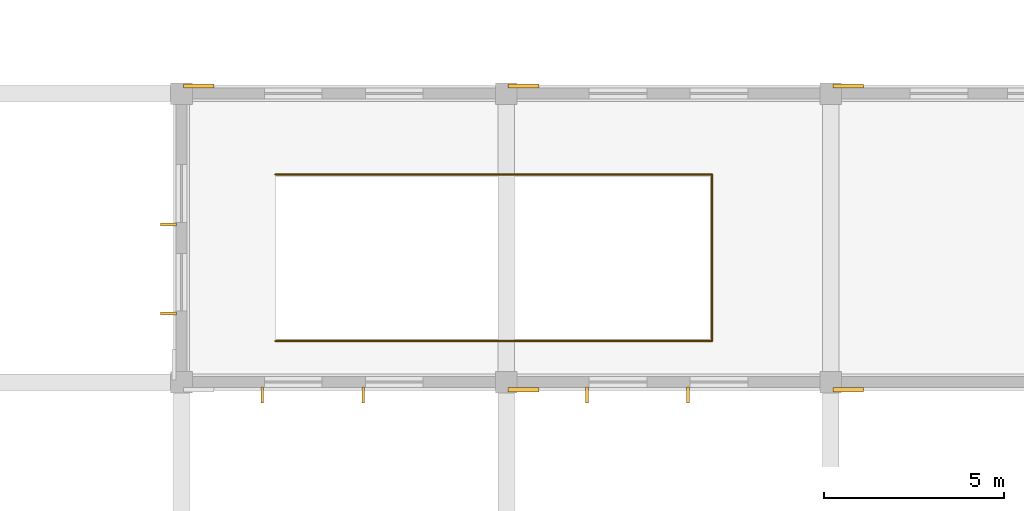
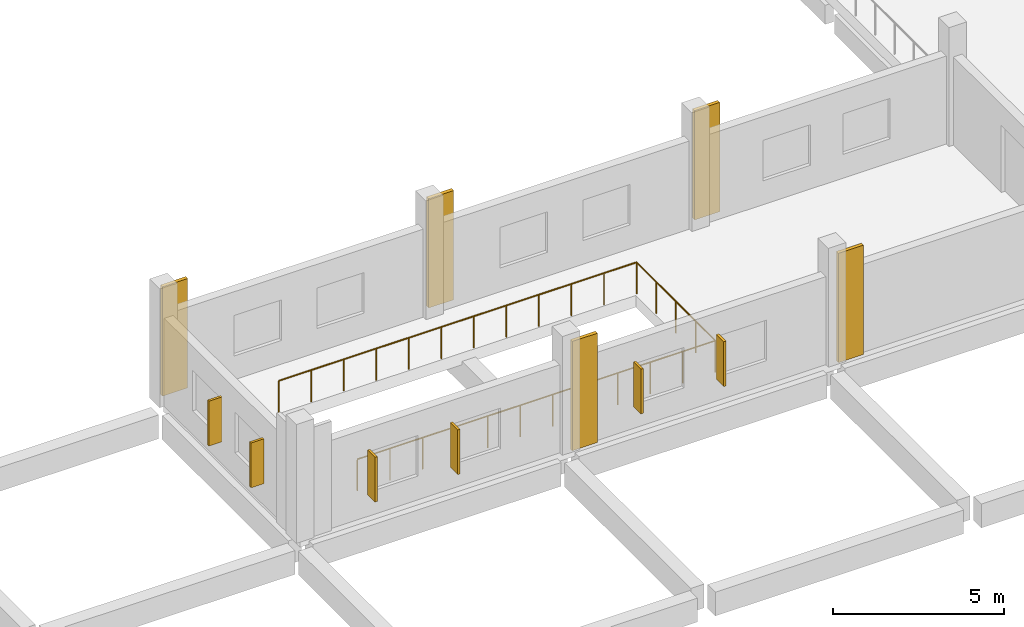
# One storey, part 19 of 25: 6 shading devices, 5 coverings, 1 railing.
"""IFC4 building model written with IfcOpenShell, lengths in metres."""

from ifc_helpers import new_model, si_unit, direction, frame, origin, origin_2d, place, context, subcontext, project, spatial, rectangle, circle, extrude, material, layer, layer_set, type_object, element, save


model = new_model("IFC4")

# Units and contexts
model_context = context("Model", 3, precision=1e-05, world=origin(), true_north=direction((0.0, 1.0)))
body_context = subcontext(model_context, "Body", "Model", "MODEL_VIEW")
ifc_project = project(units=[si_unit("LENGTHUNIT", "METRE"), si_unit("AREAUNIT", "SQUARE_METRE"), si_unit("VOLUMEUNIT", "CUBIC_METRE"), si_unit("PLANEANGLEUNIT", "RADIAN"), si_unit("MASSUNIT", "GRAM", prefix="KILO")], contexts=[model_context])

# Site, building, storey
site_placement = place(None, origin())
site = spatial("IfcSite", under=ifc_project, at=site_placement, CompositionType="ELEMENT")
building_placement = place(site_placement, origin())
building = spatial("IfcBuilding", under=site, at=building_placement, Name="Zacnel Wholesale Market", CompositionType="ELEMENT")
storey_placement = place(building_placement, frame((0.0, 0.0, 15.75)))
storey = spatial("IfcBuildingStorey", under=building, at=storey_placement, Name="L04", CompositionType="ELEMENT", Elevation=15.75)

# Coverings
ifc_material_1 = material(Name="Honed Yucatan Maya cream limestone", Category="masonry")
ifc_layer_1 = layer(ifc_material_1, 0.090087890625)
ifc_layer_set_1 = layer_set([ifc_layer_1], Name="Honed Yucatan Maya cream limestone")
covering_type = type_object("IfcCoveringType", Name="COV-CLAD-FRET", PredefinedType="CLADDING", material=ifc_layer_set_1)
for number, where, z_axis, x_axis, name in (
    (1, (126.47998046875, 15.7900390625, 0.02001953125), (0.0, 0.0, 1.0), (1.0, 0.0, 0.0), "Fluted Mayan-Deco limestone pilaster L04-0253"),
    (2, (135.47998046875, 15.7900390625, 0.02001953125), (0.0, 0.0, 1.0), (1.0, 0.0, 0.0), "Fluted Mayan-Deco limestone pilaster L04-0254"),
    (3, (117.47998046875, 24.2099609375, 0.02001953125), (0.0, 0.0, 1.0), (1.0, 0.0, 0.0), "Fluted Mayan-Deco limestone pilaster L04-0255"),
    (4, (126.47998046875, 24.2099609375, 0.02001953125), (0.0, 0.0, 1.0), (1.0, 0.0, 0.0), "Fluted Mayan-Deco limestone pilaster L04-0256"),
    (5, (135.47998046875, 24.2099609375, 0.02001953125), (0.0, 0.0, 1.0), (1.0, 0.0, 0.0), "Fluted Mayan-Deco limestone pilaster L04-0257"),
):
    element("IfcCovering", number, at=place(storey_placement, frame(where, z_axis=z_axis, x_axis=x_axis)), inside=storey, type_object=covering_type, Name=name, PredefinedType="CLADDING", context=body_context, shape_type="SweptSolid", body=[
        extrude(rectangle(XDim=0.85009765625, YDim=0.1201171875, at=origin_2d()), origin(), (0.0, 0.0, 1.0), 3.909912109375),
    ])

# Railing
ifc_material_2 = material(Name="Steel S355", Category="steel")
ifc_layer_2 = layer(ifc_material_2, 0.080078125)
ifc_layer_set_2 = layer_set([ifc_layer_2], Name="Steel S355")
railing_type = type_object("IfcRailingType", Name="RL-BAL-1150", PredefinedType="BALUSTRADE", material=ifc_layer_set_2)
railing_placement = place(storey_placement, frame((119.60009765625, 17.139892578125, 0.0)))
element("IfcRailing", 6, at=railing_placement, inside=storey, type_object=railing_type, Name="Terrace safety balustrade GD-L04-RWELL-3", PredefinedType="BALUSTRADE", context=body_context, shape_type="SweptSolid", body=[
    extrude(circle(Radius=0.02392578125, at=origin_2d()), frame((0.0, 0.0, 1.1259765625), z_axis=(1.0, 0.0, 0.0), x_axis=(0.0, 1.0, 0.0)), (0.0, 0.0, 1.0), 12.10986328125),
    extrude(circle(Radius=0.02392578125, at=origin_2d()), frame((12.10986328125, 0.0, 1.1259765625), z_axis=(0.0, 1.0, 0.0), x_axis=(-1.0, 0.0, 0.0)), (0.0, 0.0, 1.0), 4.6201171875),
    extrude(circle(Radius=0.02392578125, at=origin_2d()), frame((12.10986328125, 4.6201171875, 1.1259765625), z_axis=(-1.0, 0.0, 0.0), x_axis=(0.0, -1.0, 0.0)), (0.0, 0.0, 1.0), 12.10986328125),
    extrude(circle(Radius=0.02099609375, at=origin_2d()), origin(), (0.0, 0.0, 1.0), 1.101806640625),
    extrude(circle(Radius=0.02099609375, at=origin_2d()), frame((1.100830078125, 0.0, 0.0)), (0.0, 0.0, 1.0), 1.101806640625),
    extrude(circle(Radius=0.02099609375, at=origin_2d()), frame((2.201904296875, 0.0, 0.0)), (0.0, 0.0, 1.0), 1.101806640625),
    extrude(circle(Radius=0.02099609375, at=origin_2d()), frame((3.302734375, 0.0, 0.0)), (0.0, 0.0, 1.0), 1.101806640625),
    extrude(circle(Radius=0.02099609375, at=origin_2d()), frame((4.403564453125, 0.0, 0.0)), (0.0, 0.0, 1.0), 1.101806640625),
    extrude(circle(Radius=0.02099609375, at=origin_2d()), frame((5.50439453125, 0.0, 0.0)), (0.0, 0.0, 1.0), 1.101806640625),
    extrude(circle(Radius=0.02099609375, at=origin_2d()), frame((6.60546875, 0.0, 0.0)), (0.0, 0.0, 1.0), 1.101806640625),
    extrude(circle(Radius=0.02099609375, at=origin_2d()), frame((7.706298828125, 0.0, 0.0)), (0.0, 0.0, 1.0), 1.101806640625),
    extrude(circle(Radius=0.02099609375, at=origin_2d()), frame((8.80712890625, 0.0, 0.0)), (0.0, 0.0, 1.0), 1.101806640625),
    extrude(circle(Radius=0.02099609375, at=origin_2d()), frame((9.907958984375, 0.0, 0.0)), (0.0, 0.0, 1.0), 1.101806640625),
    extrude(circle(Radius=0.02099609375, at=origin_2d()), frame((11.009033203125, 0.0, 0.0)), (0.0, 0.0, 1.0), 1.101806640625),
    extrude(circle(Radius=0.02099609375, at=origin_2d()), frame((12.10986328125, 0.0, 0.0)), (0.0, 0.0, 1.0), 1.101806640625),
    extrude(circle(Radius=0.02099609375, at=origin_2d()), frame((12.10986328125, 1.155029296875, 0.0)), (0.0, 0.0, 1.0), 1.101806640625),
    extrude(circle(Radius=0.02099609375, at=origin_2d()), frame((12.10986328125, 2.31005859375, 0.0)), (0.0, 0.0, 1.0), 1.101806640625),
    extrude(circle(Radius=0.02099609375, at=origin_2d()), frame((12.10986328125, 3.465087890625, 0.0)), (0.0, 0.0, 1.0), 1.101806640625),
    extrude(circle(Radius=0.02099609375, at=origin_2d()), frame((12.10986328125, 4.6201171875, 0.0)), (0.0, 0.0, 1.0), 1.101806640625),
    extrude(circle(Radius=0.02099609375, at=origin_2d()), frame((11.009033203125, 4.6201171875, 0.0)), (0.0, 0.0, 1.0), 1.101806640625),
    extrude(circle(Radius=0.02099609375, at=origin_2d()), frame((9.907958984375, 4.6201171875, 0.0)), (0.0, 0.0, 1.0), 1.101806640625),
    extrude(circle(Radius=0.02099609375, at=origin_2d()), frame((8.80712890625, 4.6201171875, 0.0)), (0.0, 0.0, 1.0), 1.101806640625),
    extrude(circle(Radius=0.02099609375, at=origin_2d()), frame((7.706298828125, 4.6201171875, 0.0)), (0.0, 0.0, 1.0), 1.101806640625),
    extrude(circle(Radius=0.02099609375, at=origin_2d()), frame((6.60546875, 4.6201171875, 0.0)), (0.0, 0.0, 1.0), 1.101806640625),
    extrude(circle(Radius=0.02099609375, at=origin_2d()), frame((5.50439453125, 4.6201171875, 0.0)), (0.0, 0.0, 1.0), 1.101806640625),
    extrude(circle(Radius=0.02099609375, at=origin_2d()), frame((4.403564453125, 4.6201171875, 0.0)), (0.0, 0.0, 1.0), 1.101806640625),
    extrude(circle(Radius=0.02099609375, at=origin_2d()), frame((3.302734375, 4.6201171875, 0.0)), (0.0, 0.0, 1.0), 1.101806640625),
    extrude(circle(Radius=0.02099609375, at=origin_2d()), frame((2.201904296875, 4.6201171875, 0.0)), (0.0, 0.0, 1.0), 1.101806640625),
    extrude(circle(Radius=0.02099609375, at=origin_2d()), frame((1.100830078125, 4.6201171875, 0.0)), (0.0, 0.0, 1.0), 1.101806640625),
    extrude(circle(Radius=0.02099609375, at=origin_2d()), frame((0.0, 4.6201171875, 0.0)), (0.0, 0.0, 1.0), 1.101806640625),
])

# Shading devices
ifc_material_3 = material(Name="Honed Yucatan Maya cream limestone", Category="masonry")
shading_device_type = type_object("IfcShadingDeviceType", Name="SHD-FIN-V450", PredefinedType="USERDEFINED", material=ifc_material_3)
for number, where, z_axis, x_axis, name in (
    (7, (119.239990234375, 15.639892578125, 0.77490234375), (0.0, 0.0, 1.0), (1.0, 0.0, 0.0), "Limestone sunshade fin 0299"),
    (8, (122.0400390625, 15.639892578125, 0.77490234375), (0.0, 0.0, 1.0), (1.0, 0.0, 0.0), "Limestone sunshade fin 0300"),
    (9, (128.239990234375, 15.639892578125, 0.77490234375), (0.0, 0.0, 1.0), (1.0, 0.0, 0.0), "Limestone sunshade fin 0301"),
    (10, (131.0400390625, 15.639892578125, 0.77490234375), (0.0, 0.0, 1.0), (1.0, 0.0, 0.0), "Limestone sunshade fin 0302"),
    (11, (116.639892578125, 17.906982421875, 0.77490234375), (0.0, 0.0, 1.0), (0.0, 1.0, 0.0), "Limestone sunshade fin 0303"),
    (12, (116.639892578125, 20.373046875, 0.77490234375), (0.0, 0.0, 1.0), (0.0, 1.0, 0.0), "Limestone sunshade fin 0304"),
):
    element("IfcShadingDevice", number, at=place(storey_placement, frame(where, z_axis=z_axis, x_axis=x_axis)), inside=storey, type_object=shading_device_type, Name=name, ObjectType="SUNSHADE", PredefinedType="USERDEFINED", context=body_context, shape_type="SweptSolid", body=[
        extrude(rectangle(XDim=0.080078125, YDim=0.43994140625, at=origin_2d()), origin(), (0.0, 0.0, 1.0), 1.60009765625),
    ])

save(model, "model.ifc")
